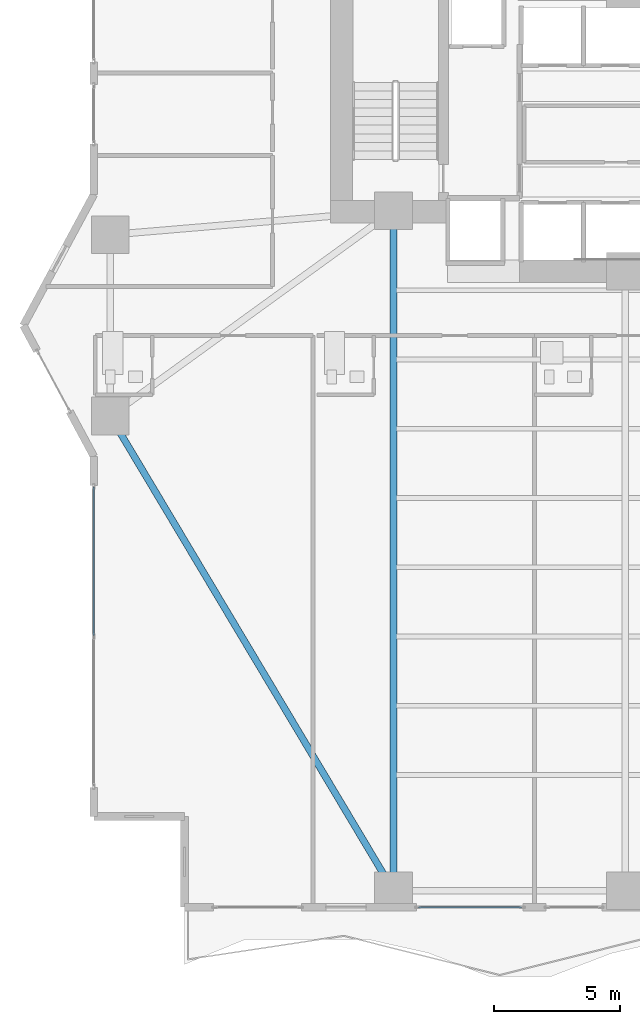
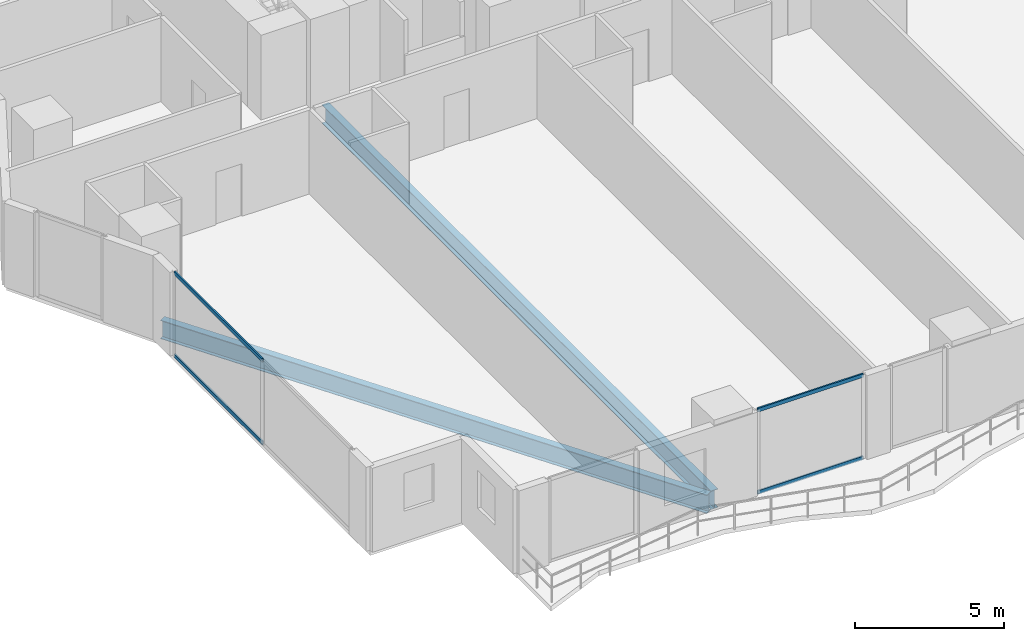
# One storey, part 3 of 29: 4 members, 2 beams, 2 elements without a shape of their own.
"""IFC4 building model written with IfcOpenShell, lengths in metres."""

from ifc_helpers import new_model, si_unit, direction, frame, origin, origin_2d, place, context, subcontext, project, spatial, hollow_rectangle, i_section, extrude, material, layer, layer_set, material_profile, profile_set, type_object, element, aggregate, save


model = new_model("IFC4")

# Units and contexts
model_context = context("Model", 3, precision=1e-05, world=origin(), true_north=direction((0.0, 1.0)))
body_context = subcontext(model_context, "Body", "Model", "MODEL_VIEW")
ifc_project = project(units=[si_unit("LENGTHUNIT", "METRE"), si_unit("AREAUNIT", "SQUARE_METRE"), si_unit("VOLUMEUNIT", "CUBIC_METRE"), si_unit("PLANEANGLEUNIT", "RADIAN"), si_unit("MASSUNIT", "GRAM", prefix="KILO")], contexts=[model_context])

# Site, building, storey
site_placement = place(None, origin())
site = spatial("IfcSite", under=ifc_project, at=site_placement, CompositionType="ELEMENT")
building_placement = place(site_placement, origin())
building = spatial("IfcBuilding", under=site, at=building_placement, Name="Zuhayl Quay Hotel", CompositionType="ELEMENT")
storey_placement = place(building_placement, frame((0.0, 0.0, 45.85009765625)))
storey = spatial("IfcBuildingStorey", under=building, at=storey_placement, Name="L10", CompositionType="ELEMENT", Elevation=45.85009765625)

# Beams
ifc_material_1 = material(Name="Steel ASTM A992 Grade 50", Category="steel")
ifc_material_profile_1 = material_profile(ifc_material_1, i_section(OverallWidth=0.26708984375, OverallDepth=0.761962890625, WebThickness=0.014404296875, FlangeThickness=0.021484375, at=origin_2d()), Name="W30X116")
ifc_profile_set_1 = profile_set([ifc_material_profile_1], Name="Steel ASTM A992 Grade 50")
beam_type = type_object("IfcBeamType", Name="BM_B1_W30X116", PredefinedType="BEAM", material=ifc_profile_set_1)
beam_1_placement = place(storey_placement, frame((-24.793701171875, -4.029296875, -0.60107421875), z_axis=(0.512482593247, -0.85869761361, 0.0), x_axis=(0.85869761361, 0.512482593247, 0.0)))
element("IfcBeam", 1, at=beam_1_placement, inside=storey, type_object=beam_type, Name="L10 Floor Beam RG_L10_12", PredefinedType="BEAM", context=body_context, shape_type="SweptSolid", body=[
    extrude(i_section(OverallWidth=0.26708984375, OverallDepth=0.761962890625, WebThickness=0.014404296875, FlangeThickness=0.021484375, at=origin_2d()), origin(), (0.0, 0.0, 1.0), 20.9521484375),
])
beam_2_placement = place(storey_placement, frame((-13.800048828125, -21.949951171875, -0.60107421875), z_axis=(0.0, 1.0, 0.0), x_axis=(-1.0, 0.0, 0.0)))
element("IfcBeam", 2, at=beam_2_placement, inside=storey, type_object=beam_type, Name="L10 Floor Beam FG_S_L10_1", PredefinedType="BEAM", context=body_context, shape_type="SweptSolid", body=[
    extrude(i_section(OverallWidth=0.26708984375, OverallDepth=0.761962890625, WebThickness=0.014404296875, FlangeThickness=0.021484375, at=origin_2d()), origin(), (0.0, 0.0, 1.0), 26.050048828125),
])

# Curtain wall, members
ifc_material_2 = material(Name="Anodised Aluminium 6063-T6", Category="aluminium")
ifc_layer = layer(ifc_material_2, 0.18994140625, Name="Anodised Aluminium 6063-T6", Category="aluminium")
ifc_layer_set = layer_set([ifc_layer], Name="Anodised Aluminium 6063-T6")
curtain_wall_type = type_object("IfcCurtainWallType", Name="CW_SYS_Z1", PredefinedType="USERDEFINED", material=ifc_layer_set)
curtain_wall_1_placement = place(storey_placement, origin())
curtain_wall_1 = element("IfcCurtainWall", 3, at=curtain_wall_1_placement, inside=storey, type_object=curtain_wall_type, Name="L10 Curtain Wall ENV_L10_E02_CW1", ObjectType="UNITISED CURTAIN WALL", PredefinedType="USERDEFINED")
ifc_material_3 = material(Name="Black-anodised aluminium 6063-T6", Category="aluminium")
ifc_material_profile_2 = material_profile(ifc_material_3, hollow_rectangle(XDim=0.06005859375, YDim=0.14990234375, WallThickness=0.00341796875, at=origin_2d()), Name="ALU150X60")
ifc_profile_set_2 = profile_set([ifc_material_profile_2], Name="Black-anodised aluminium 6063-T6")
member_type = type_object("IfcMemberType", Name="MB_CW_TRN_150", PredefinedType="USERDEFINED", material=ifc_profile_set_2)
member_1_placement = place(storey_placement, frame((-25.699951171875, -12.3125, 0.02978515625), z_axis=(0.0, 1.0, 0.0), x_axis=(-1.0, 0.0, 0.0)))
member_1 = element("IfcMember", 4, at=member_1_placement, type_object=member_type, Name="CW-Z1 transom 2.1", ObjectType="TRANSOM", PredefinedType="USERDEFINED", context=body_context, shape_type="SweptSolid", body=[
    extrude(hollow_rectangle(XDim=0.06005859375, YDim=0.14990234375, WallThickness=0.00341796875, at=origin_2d()), origin(), (0.0, 0.0, 1.0), 5.887451171875),
])
member_2_placement = place(storey_placement, frame((-25.699951171875, -12.3125, 3.39990234375), z_axis=(0.0, 1.0, 0.0), x_axis=(-1.0, 0.0, 0.0)))
member_2 = element("IfcMember", 5, at=member_2_placement, type_object=member_type, Name="CW-Z1 transom 2.2", ObjectType="TRANSOM", PredefinedType="USERDEFINED", context=body_context, shape_type="SweptSolid", body=[
    extrude(hollow_rectangle(XDim=0.06005859375, YDim=0.14990234375, WallThickness=0.00341796875, at=origin_2d()), origin(), (0.0, 0.0, 1.0), 5.887451171875),
])
aggregate(curtain_wall_1, [member_1, member_2])

curtain_wall_2_placement = place(storey_placement, origin())
curtain_wall_2 = element("IfcCurtainWall", 6, at=curtain_wall_2_placement, inside=storey, type_object=curtain_wall_type, Name="L10 Curtain Wall ENV_L10_S_CW4", ObjectType="UNITISED CURTAIN WALL", PredefinedType="USERDEFINED")
member_3_placement = place(storey_placement, frame((-8.72509765625, -23.10009765625, 0.02978515625), z_axis=(-1.0, 0.0, 0.0), x_axis=(0.0, -1.0, 0.0)))
member_3 = element("IfcMember", 7, at=member_3_placement, type_object=member_type, Name="CW-Z1 transom 1.1", ObjectType="TRANSOM", PredefinedType="USERDEFINED", context=body_context, shape_type="SweptSolid", body=[
    extrude(hollow_rectangle(XDim=0.06005859375, YDim=0.14990234375, WallThickness=0.00341796875, at=origin_2d()), origin(), (0.0, 0.0, 1.0), 4.079833984375),
])
member_4_placement = place(storey_placement, frame((-8.72509765625, -23.10009765625, 3.39990234375), z_axis=(-1.0, 0.0, 0.0), x_axis=(0.0, -1.0, 0.0)))
member_4 = element("IfcMember", 8, at=member_4_placement, type_object=member_type, Name="CW-Z1 transom 1.2", ObjectType="TRANSOM", PredefinedType="USERDEFINED", context=body_context, shape_type="SweptSolid", body=[
    extrude(hollow_rectangle(XDim=0.06005859375, YDim=0.14990234375, WallThickness=0.00341796875, at=origin_2d()), origin(), (0.0, 0.0, 1.0), 4.079833984375),
])
aggregate(curtain_wall_2, [member_3, member_4])

save(model, "model.ifc")
